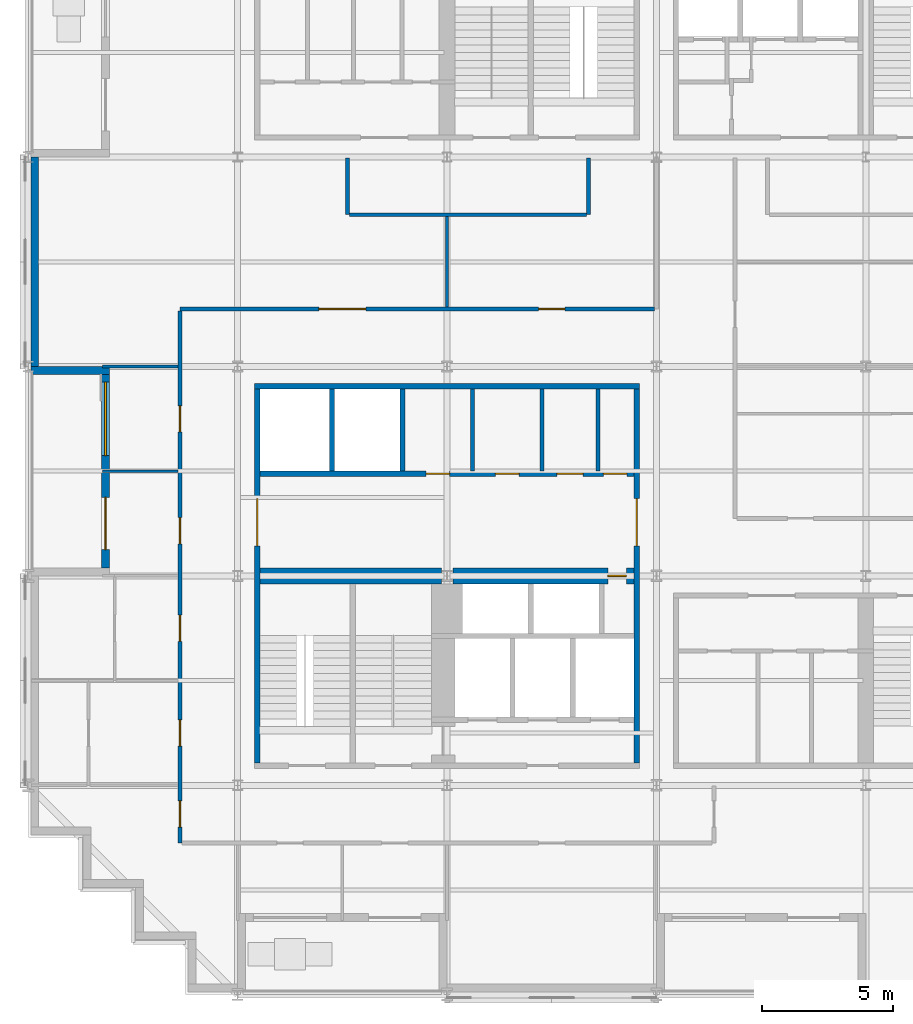
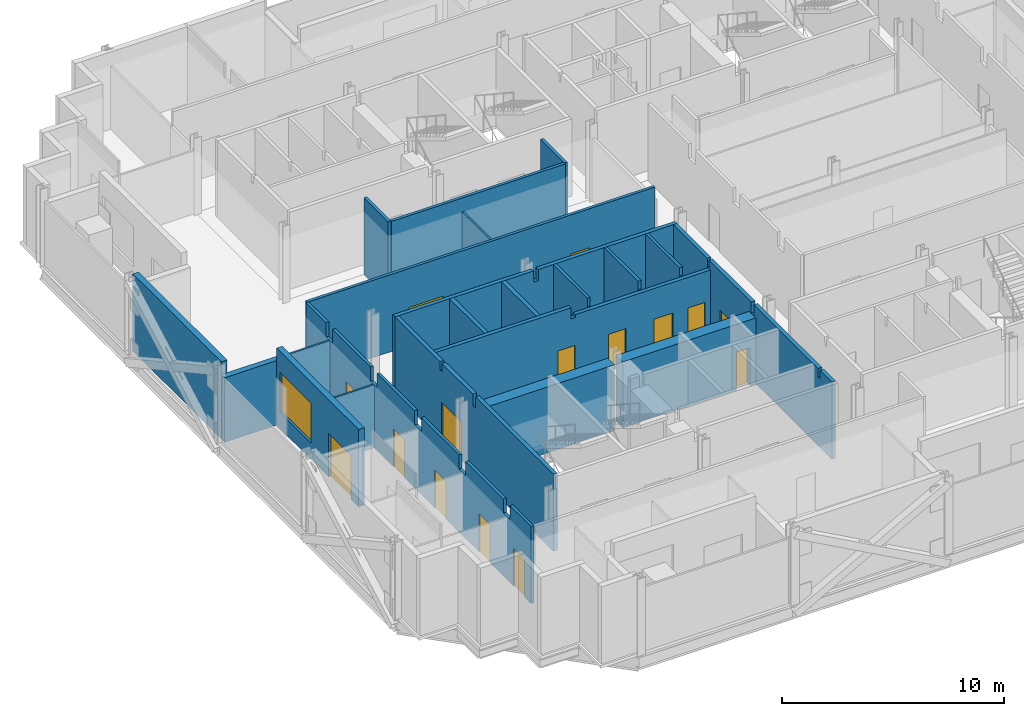
# One storey, part 7 of 15: 22 walls, 15 doors, 1 window, 16 openings.
"""IFC4 building model written with IfcOpenShell, lengths in metres."""

import ifcopenshell
import ifcopenshell.guid

model = None  # the IFC model being written
_history = None  # IfcOwnerHistory: only IFC2X3 demands one
_inside = {}  # id of a spatial element -> (the spatial element, [elements in it])
_under = {}  # id of a project, library or spatial element -> (it, [spatial elements below it])
_declared = {}  # id of a project -> (the project, [libraries it declares])
_typed = {}  # id of a type object -> (the type object, [elements of that type])
_made_of = {}  # id of a material, layer set ... -> (it, [elements and type objects made of it])


def new_model(schema):
    """Start an empty IFC model of exactly this schema.

    Asked for "IFC4X3", IfcOpenShell would pick the latest addendum, in which some entities
    have other attributes; the version numbers below select the first issue.
    IFC2X3 requires an IfcOwnerHistory on every rooted entity: one is made here for all.
    """
    global model, _history
    if schema == "IFC4X3":
        model = ifcopenshell.file(schema_version=(4, 3, 0, 0))
    else:
        model = ifcopenshell.file(schema=schema)
    _inside.clear()
    _under.clear()
    _declared.clear()
    _typed.clear()
    _made_of.clear()
    _history = None
    if model.schema == "IFC2X3":
        org = make("IfcOrganization", Name="unknown")
        user = make(
            "IfcPersonAndOrganization",
            ThePerson=make("IfcPerson", FamilyName="unknown"),
            TheOrganization=org,
        )
        app = make(
            "IfcApplication",
            ApplicationDeveloper=org,
            Version="unknown",
            ApplicationFullName="unknown",
            ApplicationIdentifier="unknown",
        )
        _history = make(
            "IfcOwnerHistory",
            OwningUser=user,
            OwningApplication=app,
            ChangeAction="ADDED",
            CreationDate=0,
        )
    return model


def make(cls, **values):
    """One entity of the class cls with the attributes given. An attribute that is None is left unset."""
    return model.create_entity(
        cls, **{name: value for name, value in values.items() if value is not None}
    )


def rooted(cls, **values):
    """An entity with a GlobalId (a new one), such as an element, a storey or a relation."""
    return make(cls, GlobalId=ifcopenshell.guid.new(), OwnerHistory=_history, **values)


def si_unit(unit_type, name, prefix=None):
    """IfcSIUnit, for example si_unit("LENGTHUNIT", "METRE", prefix="MILLI")."""
    return make("IfcSIUnit", UnitType=unit_type, Prefix=prefix, Name=name)


def assignment(units):
    """IfcUnitAssignment: the units of a project."""
    return None if units is None else make("IfcUnitAssignment", Units=units)


def point(xyz):
    """IfcCartesianPoint."""
    return None if xyz is None else make("IfcCartesianPoint", Coordinates=xyz)


def direction(xyz):
    """IfcDirection."""
    return None if xyz is None else make("IfcDirection", DirectionRatios=xyz)


def frame(location, z_axis=None, x_axis=None):
    """IfcAxis2Placement3D, a coordinate frame: its origin and axes. An axis left out is left unset."""
    return make(
        "IfcAxis2Placement3D",
        Location=point(location),
        Axis=direction(z_axis),
        RefDirection=direction(x_axis),
    )


def frame_2d(location, x_axis=None):
    """IfcAxis2Placement2D, a coordinate frame in the plane: its origin and x axis."""
    return make(
        "IfcAxis2Placement2D", Location=point(location), RefDirection=direction(x_axis)
    )


def origin():
    """The frame at (0, 0, 0) with its axes left unset."""
    return frame((0.0, 0.0, 0.0))


def place(relative_to, where):
    """IfcLocalPlacement: puts the frame where relative to a parent placement (None: the world)."""
    return make(
        "IfcLocalPlacement", PlacementRelTo=relative_to, RelativePlacement=where
    )


def context(
    kind, dimensions, precision=None, world=None, true_north=None, identifier=None
):
    """IfcGeometricRepresentationContext, for example the 3D "Model" context."""
    return make(
        "IfcGeometricRepresentationContext",
        ContextIdentifier=identifier,
        ContextType=kind,
        CoordinateSpaceDimension=dimensions,
        Precision=precision,
        WorldCoordinateSystem=world,
        TrueNorth=true_north,
    )


def subcontext(parent, identifier, kind, view, scale=None):
    """IfcGeometricRepresentationSubContext, for example "Body" below "Model"."""
    return make(
        "IfcGeometricRepresentationSubContext",
        ContextIdentifier=identifier,
        ContextType=kind,
        ParentContext=parent,
        TargetScale=scale,
        TargetView=view,
    )


def project(units=None, contexts=None):
    """IfcProject with its units and contexts."""
    return rooted(
        "IfcProject",
        Name="project",
        RepresentationContexts=contexts,
        UnitsInContext=assignment(units),
    )


def spatial(cls, under=None, at=None, **own):
    """A site, building, storey or space (cls), placed at a placement, below another one or the project."""
    s = rooted(cls, ObjectPlacement=at, **own)
    if under is not None:
        _under.setdefault(under.id(), (under, []))[1].append(s)
    return s


def polyline(points):
    """IfcPolyline through the points."""
    return make("IfcPolyline", Points=[point(p) for p in points])


def profile(cls, at=None, kind="AREA", **sizes):
    """A parametric profile (cls). Its sizes go by their IFC names, for example OverallWidth=200.0."""
    return make(cls, ProfileType=kind, Position=at, **sizes)


def rectangle(**sizes):
    """IfcRectangleProfileDef."""
    return profile("IfcRectangleProfileDef", **sizes)


def outline(outer, holes=None, kind="AREA"):
    """IfcArbitraryClosedProfileDef: a profile drawn as a closed curve; with holes, ...WithVoids."""
    if holes is None:
        return make("IfcArbitraryClosedProfileDef", ProfileType=kind, OuterCurve=outer)
    return make(
        "IfcArbitraryProfileDefWithVoids",
        ProfileType=kind,
        OuterCurve=outer,
        InnerCurves=holes,
    )


def extrude(swept, where, along, depth):
    """IfcExtrudedAreaSolid: the profile swept, set in the frame where, extruded along a direction by depth."""
    return make(
        "IfcExtrudedAreaSolid",
        SweptArea=swept,
        Position=where,
        ExtrudedDirection=direction(along),
        Depth=depth,
    )


def shape(context_of_items, identifier, shape_type, items):
    """IfcShapeRepresentation: the items that make up one representation, for example the "Body"."""
    return make(
        "IfcShapeRepresentation",
        ContextOfItems=context_of_items,
        RepresentationIdentifier=identifier,
        RepresentationType=shape_type,
        Items=items,
    )


def material(Name=None, Category=None):
    """IfcMaterial."""
    return make("IfcMaterial", Name=Name, Category=Category)


def layer(
    of_material, thickness, ventilated=None, Name=None, Category=None, Priority=None
):
    """IfcMaterialLayer: one layer of a wall or slab, of a material (None: an air gap)."""
    return make(
        "IfcMaterialLayer",
        Material=of_material,
        LayerThickness=thickness,
        IsVentilated=ventilated,
        Name=Name,
        Category=Category,
        Priority=Priority,
    )


def layer_set(layers, Name=None):
    """IfcMaterialLayerSet."""
    return make("IfcMaterialLayerSet", MaterialLayers=layers, LayerSetName=Name)


def made_of(thing, what):
    """Note that an element or type object is made of a material, layer set ...; save() writes the relation."""
    if what is not None:
        _made_of.setdefault(what.id(), (what, []))[1].append(thing)
    return thing


def type_object(cls, material=None, **own):
    """A type object (cls), such as IfcWallType, which elements share."""
    return made_of(rooted(cls, **own), material)


def element(
    cls,
    number,
    at=None,
    inside=None,
    cuts=None,
    type_object=None,
    material=None,
    context=None,
    identifier="Body",
    shape_type=None,
    held_by="IfcProductDefinitionShape",
    body=None,
    shapes=None,
    **own,
):
    """One element of the class cls, such as IfcWall. Its Tag is "e" and its number.

    at: its placement. inside: the storey or other place that contains it. cuts: it is an
    opening in that element (IfcRelVoidsElement). A single representation is given by context,
    identifier, shape_type and body (its items); several are given by shapes. held_by: the class
    of the entity that holds the representations. save() writes the other relations.
    """
    e = rooted(cls, Tag="e%d" % number, ObjectPlacement=at, **own)
    if body is not None:
        shapes = [shape(context, identifier, shape_type, body)]
    if shapes is not None:
        e.Representation = make(held_by, Representations=shapes)
    if inside is not None:
        _inside.setdefault(inside.id(), (inside, []))[1].append(e)
    if cuts is not None:
        rooted(
            "IfcRelVoidsElement", RelatingBuildingElement=cuts, RelatedOpeningElement=e
        )
    if type_object is not None:
        _typed.setdefault(type_object.id(), (type_object, []))[1].append(e)
    return made_of(e, material)


def fill(opening, filler):
    """IfcRelFillsElement: the door or window that sits in an opening."""
    return rooted(
        "IfcRelFillsElement",
        RelatingOpeningElement=opening,
        RelatedBuildingElement=filler,
    )


def aggregate(whole, parts):
    """IfcRelAggregates: a whole, such as a stair, and the parts it consists of."""
    return rooted("IfcRelAggregates", RelatingObject=whole, RelatedObjects=parts)


def save(model, path):
    """Write the relations noted so far, then the file.

    IfcRelAggregates (storeys below a building ...), IfcRelContainedInSpatialStructure (elements
    in a storey), IfcRelDefinesByType, IfcRelAssociatesMaterial and IfcRelDeclares: one each for
    every whole, place, type object, material and project.
    """
    for whole, parts in _under.values():
        aggregate(whole, parts)
    for where, things in _inside.values():
        rooted(
            "IfcRelContainedInSpatialStructure",
            RelatedElements=things,
            RelatingStructure=where,
        )
    for kind, things in _typed.values():
        rooted("IfcRelDefinesByType", RelatedObjects=things, RelatingType=kind)
    for what, things in _made_of.values():
        rooted("IfcRelAssociatesMaterial", RelatedObjects=things, RelatingMaterial=what)
    for by, libraries in _declared.values():
        rooted("IfcRelDeclares", RelatingContext=by, RelatedDefinitions=libraries)
    model.write(path)


model = new_model("IFC4")

# Units and contexts
model_context = context("Model", 3, precision=1e-05, world=origin(), true_north=direction((0.0, 1.0)))
body_context = subcontext(model_context, "Body", "Model", "MODEL_VIEW")
ifc_project = project(units=[si_unit("LENGTHUNIT", "METRE"), si_unit("AREAUNIT", "SQUARE_METRE"), si_unit("VOLUMEUNIT", "CUBIC_METRE"), si_unit("PLANEANGLEUNIT", "RADIAN"), si_unit("MASSUNIT", "GRAM", prefix="KILO")], contexts=[model_context])

# Site, building, storey
site_placement = place(None, origin())
site = spatial("IfcSite", under=ifc_project, at=site_placement, CompositionType="ELEMENT")
building_placement = place(site_placement, origin())
building = spatial("IfcBuilding", under=site, at=building_placement, Name="Immortelle Media Tower", CompositionType="ELEMENT")
storey_placement = place(building_placement, frame((0.0, 0.0, 100.800048828125)))
storey = spatial("IfcBuildingStorey", under=building, at=storey_placement, Name="L19", CompositionType="ELEMENT", Elevation=100.800048828125)

# Wall, opening, door
ifc_material_1 = material(Name="Fire-rated masonry blockwork", Category="masonry")
ifc_layer_1 = layer(ifc_material_1, 0.60009765625)
ifc_layer_set_1 = layer_set([ifc_layer_1], Name="Fire-rated masonry blockwork")
wall_type_1 = type_object("IfcWallType", Name="Core grid-line wall 600", PredefinedType="PARTITIONING", material=ifc_layer_set_1)
wall_1_placement = place(storey_placement, frame((16.218505859375, 16.0, 0.0), z_axis=(0.0, 0.0, 1.0), x_axis=(1.0, 0.0, 0.0)))
wall_1 = element("IfcWall", 1, at=wall_1_placement, inside=storey, type_object=wall_type_1, Name="Core grid-line wall SW", PredefinedType="PARTITIONING", context=body_context, shape_type="SweptSolid", body=[
    extrude(rectangle(XDim=6.931396484375, YDim=0.60009765625, at=frame_2d((3.4658203125, 0.0))), origin(), (0.0, 0.0, 1.0), 3.6318359375),
])
opening_1_placement = place(wall_1_placement, frame((6.63134765625, 0.0, 0.0), z_axis=(0.0, 0.0, 1.0), x_axis=(-1.0, 0.0, 0.0)))
opening_1 = element("IfcOpeningElement", 2, at=opening_1_placement, cuts=wall_1, Name="Opening N6-K013", PredefinedType="OPENING", context=body_context, shape_type="SweptSolid", body=[
    extrude(rectangle(XDim=0.699951171875, YDim=2.10009765625, at=frame_2d((0.35009765625, 1.050048828125))), frame((0.0, 0.31005859375, 0.0), z_axis=(0.0, -1.0, 0.0), x_axis=(1.0, 0.0, 0.0)), (0.0, 0.0, 1.0), 0.6201171875),
])
ifc_material_2 = material(Name="Galvanised steel door leaf and frame ASTM A653", Category="steel")
door_type_1 = type_object("IfcDoorType", Name="Service door 700 x 2100", OperationType="NOTDEFINED", PredefinedType="NOTDEFINED", material=ifc_material_2)
door_1_placement = place(opening_1_placement, origin())
door_1 = element("IfcDoor", 3, at=door_1_placement, inside=storey, type_object=door_type_1, Name="Service N6-K013", OperationType="SINGLE_SWING_LEFT", OverallHeight=2.10009765625, OverallWidth=0.699951171875, PredefinedType="NOTDEFINED", context=body_context, shape_type="SweptSolid", body=[
    extrude(rectangle(XDim=0.699951171875, YDim=2.10009765625, at=frame_2d((0.35009765625, 1.050048828125))), frame((0.0, 0.02490234375, 0.0), z_axis=(0.0, -1.0, 0.0), x_axis=(1.0, 0.0, 0.0)), (0.0, 0.0, 1.0), 0.050048828125),
])
fill(opening_1, door_1)

# Walls
ifc_material_3 = material(Name="Fire-rated gypsum board", Category="gypsum")
ifc_layer_2 = layer(ifc_material_3, 0.02490234375)
ifc_material_4 = material(Name="Steel ASTM A653 SS Gr 50 stud frame with mineral wool", Category="steel")
ifc_layer_3 = layer(ifc_material_4, 0.10009765625)
ifc_layer_4 = layer(ifc_material_3, 0.02490234375)
ifc_layer_set_2 = layer_set([ifc_layer_2, ifc_layer_3, ifc_layer_4], Name="Steel ASTM A653 SS Gr 50 stud frame with mineral wool")
wall_type_2 = type_object("IfcWallType", Name="Core partition 150", PredefinedType="PARTITIONING", material=ifc_layer_set_2)
for number, where, z_axis, x_axis, name in (
    (4, (16.97509765625, 20.0, 0.0), (0.0, 0.0, 1.0), (0.0, 1.0, 0.0), "Core partition SW"),
    (5, (19.625, 20.0, 0.0), (0.0, 0.0, 1.0), (0.0, 1.0, 0.0), "Core partition SW"),
    (6, (21.77490234375, 20.0, 0.0), (0.0, 0.0, 1.0), (0.0, 1.0, 0.0), "Core partition SW"),
):
    element("IfcWall", number, at=place(storey_placement, frame(where, z_axis=z_axis, x_axis=x_axis)), inside=storey, type_object=wall_type_2, Name=name, PredefinedType="PARTITIONING", context=body_context, shape_type="SweptSolid", body=[
        extrude(outline(polyline([(0.0, 0.0), (3.14990234375, 0.0), (3.14990234375, 4.25), (0.08154296875, 4.25), (0.08056640625, 3.7890625), (0.0, 3.7890625), (0.0, 0.0)])), frame((0.0, 0.074951171875, 0.0), z_axis=(0.0, -1.0, 0.0), x_axis=(1.0, 0.0, 0.0)), (0.0, 0.0, 1.0), 0.14990234375),
    ])
ifc_layer_5 = layer(ifc_material_3, 0.03759765625)
ifc_layer_6 = layer(ifc_material_4, 0.125)
ifc_layer_7 = layer(ifc_material_3, 0.03759765625)
ifc_layer_set_3 = layer_set([ifc_layer_5, ifc_layer_6, ifc_layer_7], Name="Steel ASTM A653 SS Gr 50 stud frame with mineral wool")
wall_type_3 = type_object("IfcWallType", Name="Core shaft wall 200", PredefinedType="PARTITIONING", material=ifc_layer_set_3)
wall_2_placement = place(storey_placement, frame((8.64990234375, 23.25, 0.0), z_axis=(0.0, 0.0, 1.0), x_axis=(1.0, 0.0, 0.0)))
element("IfcWall", 7, at=wall_2_placement, inside=storey, type_object=wall_type_3, Name="Core shaft wall SW", PredefinedType="PARTITIONING", context=body_context, shape_type="SweptSolid", body=[
    extrude(outline(polyline([(0.0, 0.0), (14.7001953125, 0.0), (14.699951171875, 4.25), (7.469482421875, 4.25), (7.468505859375, 3.6318359375), (7.2314453125, 3.6318359375), (7.23046875, 4.25), (0.0, 4.25), (0.0, 0.0)])), frame((0.0, 0.10009765625, 0.0), z_axis=(0.0, -1.0, 0.0), x_axis=(1.0, 0.0, 0.0)), (0.0, 0.0, 1.0), 0.199951171875),
])

# Wall, openings, doors
wall_3_placement = place(storey_placement, frame((8.85009765625, 19.89990234375, 0.0), z_axis=(0.0, 0.0, 1.0), x_axis=(1.0, 0.0, 0.0)))
wall_3 = element("IfcWall", 8, at=wall_3_placement, inside=storey, type_object=wall_type_3, Name="Core shaft wall SW", PredefinedType="PARTITIONING", context=body_context, shape_type="SweptSolid", body=[
    extrude(outline(polyline([(0.0, 0.0), (14.2998046875, 0.0), (14.300048828125, 3.7890625), (7.26953125, 3.7890625), (7.2685546875, 3.6318359375), (7.031494140625, 3.6318359375), (7.030517578125, 4.25), (0.0, 4.25), (0.0, 0.0)])), frame((0.0, 0.10009765625, 0.0), z_axis=(0.0, -1.0, 0.0), x_axis=(1.0, 0.0, 0.0)), (0.0, 0.0, 1.0), 0.199951171875),
])
opening_2_placement = place(wall_3_placement, frame((6.35009765625, 0.0, 0.0)))
opening_2 = element("IfcOpeningElement", 9, at=opening_2_placement, cuts=wall_3, Name="Opening N6-K004", PredefinedType="OPENING", context=body_context, shape_type="SweptSolid", body=[
    extrude(rectangle(XDim=0.89990234375, YDim=2.10009765625, at=frame_2d((0.449951171875, 1.050048828125))), frame((0.0, 0.10986328125, 0.0), z_axis=(0.0, -1.0, 0.0), x_axis=(1.0, 0.0, 0.0)), (0.0, 0.0, 1.0), 0.219970703125),
])
opening_3_placement = place(wall_3_placement, frame((9.0, 0.0, 0.0)))
opening_3 = element("IfcOpeningElement", 10, at=opening_3_placement, cuts=wall_3, Name="Opening N6-K007", PredefinedType="OPENING", context=body_context, shape_type="SweptSolid", body=[
    extrude(rectangle(XDim=0.89990234375, YDim=2.10009765625, at=frame_2d((0.449951171875, 1.050048828125))), frame((0.0, 0.10986328125, 0.0), z_axis=(0.0, -1.0, 0.0), x_axis=(1.0, 0.0, 0.0)), (0.0, 0.0, 1.0), 0.219970703125),
])
opening_4_placement = place(wall_3_placement, frame((11.35009765625, 0.0, 0.0)))
opening_4 = element("IfcOpeningElement", 11, at=opening_4_placement, cuts=wall_3, Name="Opening N6-K010", PredefinedType="OPENING", context=body_context, shape_type="SweptSolid", body=[
    extrude(rectangle(XDim=1.0, YDim=2.10009765625, at=frame_2d((0.5, 1.050048828125))), frame((0.0, 0.10986328125, 0.0), z_axis=(0.0, -1.0, 0.0), x_axis=(1.0, 0.0, 0.0)), (0.0, 0.0, 1.0), 0.219970703125),
])
opening_5_placement = place(wall_3_placement, frame((13.125, 0.0, 0.0)))
opening_5 = element("IfcOpeningElement", 12, at=opening_5_placement, cuts=wall_3, Name="Opening N6-K012", PredefinedType="OPENING", context=body_context, shape_type="SweptSolid", body=[
    extrude(rectangle(XDim=0.89990234375, YDim=2.10009765625, at=frame_2d((0.449951171875, 1.050048828125))), frame((0.0, 0.10986328125, 0.0), z_axis=(0.0, -1.0, 0.0), x_axis=(1.0, 0.0, 0.0)), (0.0, 0.0, 1.0), 0.219970703125),
])
ifc_material_5 = material(Name="Timber", Category="wood")
door_type_2 = type_object("IfcDoorType", Name="Accessible toilet door 1000 x 2100", OperationType="NOTDEFINED", PredefinedType="NOTDEFINED", material=ifc_material_5)
door_2_placement = place(opening_4_placement, origin())
door_2 = element("IfcDoor", 13, at=door_2_placement, inside=storey, type_object=door_type_2, Name="Accessible toilet N6-K010", OperationType="SINGLE_SWING_RIGHT", OverallHeight=2.10009765625, OverallWidth=1.0, PredefinedType="NOTDEFINED", context=body_context, shape_type="SweptSolid", body=[
    extrude(rectangle(XDim=1.0, YDim=2.10009765625, at=frame_2d((0.5, 1.050048828125))), frame((0.0, 0.02490234375, 0.0), z_axis=(0.0, -1.0, 0.0), x_axis=(1.0, 0.0, 0.0)), (0.0, 0.0, 1.0), 0.050048828125),
])
fill(opening_4, door_2)
door_type_3 = type_object("IfcDoorType", Name="Service door 900 x 2100", OperationType="NOTDEFINED", PredefinedType="NOTDEFINED", material=ifc_material_2)
door_3_placement = place(opening_5_placement, origin())
door_3 = element("IfcDoor", 14, at=door_3_placement, inside=storey, type_object=door_type_3, Name="Service N6-K012", OperationType="SINGLE_SWING_LEFT", OverallHeight=2.10009765625, OverallWidth=0.89990234375, PredefinedType="NOTDEFINED", context=body_context, shape_type="SweptSolid", body=[
    extrude(rectangle(XDim=0.89990234375, YDim=2.10009765625, at=frame_2d((0.449951171875, 1.050048828125))), frame((0.0, 0.02490234375, 0.0), z_axis=(0.0, -1.0, 0.0), x_axis=(1.0, 0.0, 0.0)), (0.0, 0.0, 1.0), 0.050048828125),
])
fill(opening_5, door_3)
door_type_4 = type_object("IfcDoorType", Name="Toilet door 900 x 2100", OperationType="NOTDEFINED", PredefinedType="NOTDEFINED", material=ifc_material_5)
door_4_placement = place(opening_2_placement, origin())
door_4 = element("IfcDoor", 15, at=door_4_placement, inside=storey, type_object=door_type_4, Name="Toilet N6-K004", OperationType="SINGLE_SWING_RIGHT", OverallHeight=2.10009765625, OverallWidth=0.89990234375, PredefinedType="NOTDEFINED", context=body_context, shape_type="SweptSolid", body=[
    extrude(rectangle(XDim=0.89990234375, YDim=2.10009765625, at=frame_2d((0.449951171875, 1.050048828125))), frame((0.0, 0.02490234375, 0.0), z_axis=(0.0, -1.0, 0.0), x_axis=(1.0, 0.0, 0.0)), (0.0, 0.0, 1.0), 0.050048828125),
])
fill(opening_2, door_4)
door_5_placement = place(opening_3_placement, origin())
door_5 = element("IfcDoor", 16, at=door_5_placement, inside=storey, type_object=door_type_4, Name="Toilet N6-K007", OperationType="SINGLE_SWING_LEFT", OverallHeight=2.10009765625, OverallWidth=0.89990234375, PredefinedType="NOTDEFINED", context=body_context, shape_type="SweptSolid", body=[
    extrude(rectangle(XDim=0.89990234375, YDim=2.10009765625, at=frame_2d((0.449951171875, 1.050048828125))), frame((0.0, 0.02490234375, 0.0), z_axis=(0.0, -1.0, 0.0), x_axis=(1.0, 0.0, 0.0)), (0.0, 0.0, 1.0), 0.050048828125),
])
fill(opening_3, door_5)

# Walls
for number, where, z_axis, x_axis, name in (
    (17, (11.60009765625, 20.0, 0.0), (0.0, 0.0, 1.0), (0.0, 1.0, 0.0), "Core shaft wall SW"),
    (18, (14.300048828125, 20.0, 0.0), (0.0, 0.0, 1.0), (0.0, 1.0, 0.0), "Core shaft wall SW"),
):
    element("IfcWall", number, at=place(storey_placement, frame(where, z_axis=z_axis, x_axis=x_axis)), inside=storey, type_object=wall_type_3, Name=name, PredefinedType="PARTITIONING", context=body_context, shape_type="SweptSolid", body=[
        extrude(rectangle(XDim=3.14990234375, YDim=0.199951171875, at=frame_2d((1.574951171875, 0.0))), origin(), (0.0, 0.0, 1.0), 4.25),
    ])

# Wall, opening, door
wall_4_placement = place(storey_placement, frame((23.25, 8.85009765625, 0.0), z_axis=(0.0, 0.0, 1.0), x_axis=(0.0, 1.0, 0.0)))
wall_4 = element("IfcWall", 19, at=wall_4_placement, inside=storey, type_object=wall_type_3, Name="Core shaft wall SW", PredefinedType="PARTITIONING", context=body_context, shape_type="SweptSolid", body=[
    extrude(outline(polyline([(0.0, 0.0), (14.2998046875, 0.0), (14.300048828125, 4.25), (11.2314453125, 4.25), (11.23046875, 3.7890625), (11.069580078125, 3.7890625), (11.068603515625, 4.25), (7.26953125, 4.25), (7.2685546875, 3.6318359375), (7.031494140625, 3.6318359375), (7.030517578125, 4.25), (1.2314453125, 4.25), (1.23046875, 3.7890625), (1.069580078125, 3.7890625), (1.068603515625, 4.25), (0.0, 4.25), (0.0, 0.0)])), frame((0.0, 0.10009765625, 0.0), z_axis=(0.0, -1.0, 0.0), x_axis=(1.0, 0.0, 0.0)), (0.0, 0.0, 1.0), 0.199951171875),
])
opening_6_placement = place(wall_4_placement, frame((8.300048828125, 0.0, 0.0)))
opening_6 = element("IfcOpeningElement", 20, at=opening_6_placement, cuts=wall_4, Name="Opening N6-K014", PredefinedType="OPENING", context=body_context, shape_type="SweptSolid", body=[
    extrude(rectangle(XDim=1.800048828125, YDim=2.10009765625, at=frame_2d((0.89990234375, 1.050048828125))), frame((0.0, 0.10986328125, 0.0), z_axis=(0.0, -1.0, 0.0), x_axis=(1.0, 0.0, 0.0)), (0.0, 0.0, 1.0), 0.219970703125),
])
door_type_5 = type_object("IfcDoorType", Name="Lift lobby door 1800 x 2100", OperationType="DOUBLE_DOOR_SINGLE_SWING", PredefinedType="NOTDEFINED", material=ifc_material_2)
door_6_placement = place(opening_6_placement, origin())
door_6 = element("IfcDoor", 21, at=door_6_placement, inside=storey, type_object=door_type_5, Name="Lift lobby N6-K014", OperationType="DOUBLE_DOOR_SINGLE_SWING", OverallHeight=2.10009765625, OverallWidth=1.800048828125, PredefinedType="NOTDEFINED", context=body_context, shape_type="SweptSolid", body=[
    extrude(rectangle(XDim=1.800048828125, YDim=2.10009765625, at=frame_2d((0.89990234375, 1.050048828125))), frame((0.0, 0.02490234375, 0.0), z_axis=(0.0, -1.0, 0.0), x_axis=(1.0, 0.0, 0.0)), (0.0, 0.0, 1.0), 0.050048828125),
])
fill(opening_6, door_6)

# Wall, openings, doors
ifc_layer_8 = layer(ifc_material_3, 0.012451171875)
ifc_layer_9 = layer(ifc_material_4, 0.125)
ifc_layer_10 = layer(ifc_material_3, 0.012451171875)
ifc_layer_set_4 = layer_set([ifc_layer_8, ifc_layer_9, ifc_layer_10], Name="Steel ASTM A653 SS Gr 50 stud frame with mineral wool")
wall_type_4 = type_object("IfcWallType", Name="Corridor wall 150", PredefinedType="PARTITIONING", material=ifc_layer_set_4)
wall_5_placement = place(storey_placement, frame((5.800048828125, 5.800048828125, 0.0), z_axis=(0.0, 0.0, 1.0), x_axis=(0.0, 1.0, 0.0)))
wall_5 = element("IfcWall", 22, at=wall_5_placement, inside=storey, type_object=wall_type_4, Name="Partition L19-006", PredefinedType="PARTITIONING", context=body_context, shape_type="SweptSolid", body=[
    extrude(outline(polyline([(0.0, 0.0), (20.324951171875, 0.0), (20.324951171875, 4.25), (18.5, 4.25), (18.498046875, 3.469970703125), (17.902099609375, 3.469970703125), (17.89990234375, 4.25), (14.5, 4.25), (14.498046875, 3.469970703125), (13.902099609375, 3.469970703125), (13.89990234375, 4.25), (10.5, 4.25), (10.498046875, 3.469970703125), (9.902099609375, 3.469970703125), (9.89990234375, 4.25), (6.5, 4.25), (6.498046875, 3.469970703125), (5.902099609375, 3.469970703125), (5.89990234375, 4.25), (2.5, 4.25), (2.498046875, 3.469970703125), (1.902099609375, 3.469970703125), (1.89990234375, 4.25), (0.0, 4.25), (0.0, 0.0)])), frame((0.0, 0.074951171875, 0.0), z_axis=(0.0, -1.0, 0.0), x_axis=(1.0, 0.0, 0.0)), (0.0, 0.0, 1.0), 0.14990234375),
])
opening_7_placement = place(wall_5_placement, frame((0.60009765625, 0.0, 0.0)))
opening_7 = element("IfcOpeningElement", 23, at=opening_7_placement, cuts=wall_5, Name="Opening N6-F005", PredefinedType="OPENING", context=body_context, shape_type="SweptSolid", body=[
    extrude(rectangle(XDim=1.0, YDim=2.10009765625, at=frame_2d((0.5, 1.050048828125))), frame((0.0, 0.0849609375, 0.0), z_axis=(0.0, -1.0, 0.0), x_axis=(1.0, 0.0, 0.0)), (0.0, 0.0, 1.0), 0.169921875),
])
opening_8_placement = place(wall_5_placement, frame((3.699951171875, 0.0, 0.0)))
opening_8 = element("IfcOpeningElement", 24, at=opening_8_placement, cuts=wall_5, Name="Opening N6-F006", PredefinedType="OPENING", context=body_context, shape_type="SweptSolid", body=[
    extrude(rectangle(XDim=1.0, YDim=2.10009765625, at=frame_2d((0.5, 1.050048828125))), frame((0.0, 0.0849609375, 0.0), z_axis=(0.0, -1.0, 0.0), x_axis=(1.0, 0.0, 0.0)), (0.0, 0.0, 1.0), 0.169921875),
])
opening_9_placement = place(wall_5_placement, frame((7.699951171875, 0.0, 0.0)))
opening_9 = element("IfcOpeningElement", 25, at=opening_9_placement, cuts=wall_5, Name="Opening N6-F008", PredefinedType="OPENING", context=body_context, shape_type="SweptSolid", body=[
    extrude(rectangle(XDim=1.0, YDim=2.10009765625, at=frame_2d((0.5, 1.050048828125))), frame((0.0, 0.0849609375, 0.0), z_axis=(0.0, -1.0, 0.0), x_axis=(1.0, 0.0, 0.0)), (0.0, 0.0, 1.0), 0.169921875),
])
opening_10_placement = place(wall_5_placement, frame((11.425048828125, 0.0, 0.0)))
opening_10 = element("IfcOpeningElement", 26, at=opening_10_placement, cuts=wall_5, Name="Opening N6-F012", PredefinedType="OPENING", context=body_context, shape_type="SweptSolid", body=[
    extrude(rectangle(XDim=1.0, YDim=2.10009765625, at=frame_2d((0.5, 1.050048828125))), frame((0.0, 0.0849609375, 0.0), z_axis=(0.0, -1.0, 0.0), x_axis=(1.0, 0.0, 0.0)), (0.0, 0.0, 1.0), 0.169921875),
])
opening_11_placement = place(wall_5_placement, frame((15.699951171875, 0.0, 0.0)))
opening_11 = element("IfcOpeningElement", 27, at=opening_11_placement, cuts=wall_5, Name="Opening N6-F013", PredefinedType="OPENING", context=body_context, shape_type="SweptSolid", body=[
    extrude(rectangle(XDim=1.0, YDim=2.10009765625, at=frame_2d((0.5, 1.050048828125))), frame((0.0, 0.0849609375, 0.0), z_axis=(0.0, -1.0, 0.0), x_axis=(1.0, 0.0, 0.0)), (0.0, 0.0, 1.0), 0.169921875),
])
ifc_material_6 = material(Name="Timber veneered door leaf, galvanised steel frame ASTM A653", Category="steel")
door_type_6 = type_object("IfcDoorType", Name="Room door 1000 x 2100", OperationType="NOTDEFINED", PredefinedType="DOOR", material=ifc_material_6)
door_7_placement = place(opening_7_placement, origin())
door_7 = element("IfcDoor", 28, at=door_7_placement, inside=storey, type_object=door_type_6, Name="Door N6-F005", OperationType="SINGLE_SWING_RIGHT", OverallHeight=2.10009765625, OverallWidth=1.0, PredefinedType="DOOR", context=body_context, shape_type="SweptSolid", body=[
    extrude(rectangle(XDim=1.0, YDim=2.10009765625, at=frame_2d((0.5, 1.050048828125))), frame((0.0, 0.02490234375, 0.0), z_axis=(0.0, -1.0, 0.0), x_axis=(1.0, 0.0, 0.0)), (0.0, 0.0, 1.0), 0.050048828125),
])
fill(opening_7, door_7)
door_8_placement = place(opening_8_placement, origin())
door_8 = element("IfcDoor", 29, at=door_8_placement, inside=storey, type_object=door_type_6, Name="Door N6-F006", OperationType="SINGLE_SWING_RIGHT", OverallHeight=2.10009765625, OverallWidth=1.0, PredefinedType="DOOR", context=body_context, shape_type="SweptSolid", body=[
    extrude(rectangle(XDim=1.0, YDim=2.10009765625, at=frame_2d((0.5, 1.050048828125))), frame((0.0, 0.02490234375, 0.0), z_axis=(0.0, -1.0, 0.0), x_axis=(1.0, 0.0, 0.0)), (0.0, 0.0, 1.0), 0.050048828125),
])
fill(opening_8, door_8)
door_9_placement = place(opening_9_placement, origin())
door_9 = element("IfcDoor", 30, at=door_9_placement, inside=storey, type_object=door_type_6, Name="Door N6-F008", OperationType="SINGLE_SWING_LEFT", OverallHeight=2.10009765625, OverallWidth=1.0, PredefinedType="DOOR", context=body_context, shape_type="SweptSolid", body=[
    extrude(rectangle(XDim=1.0, YDim=2.10009765625, at=frame_2d((0.5, 1.050048828125))), frame((0.0, 0.02490234375, 0.0), z_axis=(0.0, -1.0, 0.0), x_axis=(1.0, 0.0, 0.0)), (0.0, 0.0, 1.0), 0.050048828125),
])
fill(opening_9, door_9)
door_10_placement = place(opening_10_placement, origin())
door_10 = element("IfcDoor", 31, at=door_10_placement, inside=storey, type_object=door_type_6, Name="Door N6-F012", OperationType="SINGLE_SWING_LEFT", OverallHeight=2.10009765625, OverallWidth=1.0, PredefinedType="DOOR", context=body_context, shape_type="SweptSolid", body=[
    extrude(rectangle(XDim=1.0, YDim=2.10009765625, at=frame_2d((0.5, 1.050048828125))), frame((0.0, 0.02490234375, 0.0), z_axis=(0.0, -1.0, 0.0), x_axis=(1.0, 0.0, 0.0)), (0.0, 0.0, 1.0), 0.050048828125),
])
fill(opening_10, door_10)
door_11_placement = place(opening_11_placement, origin())
door_11 = element("IfcDoor", 32, at=door_11_placement, inside=storey, type_object=door_type_6, Name="Door N6-F013", OperationType="SINGLE_SWING_RIGHT", OverallHeight=2.10009765625, OverallWidth=1.0, PredefinedType="DOOR", context=body_context, shape_type="SweptSolid", body=[
    extrude(rectangle(XDim=1.0, YDim=2.10009765625, at=frame_2d((0.5, 1.050048828125))), frame((0.0, 0.02490234375, 0.0), z_axis=(0.0, -1.0, 0.0), x_axis=(1.0, 0.0, 0.0)), (0.0, 0.0, 1.0), 0.050048828125),
])
fill(opening_11, door_11)

wall_6_placement = place(storey_placement, frame((5.800048828125, 26.199951171875, 0.0), z_axis=(0.0, 0.0, 1.0), x_axis=(1.0, 0.0, 0.0)))
wall_6 = element("IfcWall", 33, at=wall_6_placement, inside=storey, type_object=wall_type_4, Name="Partition L19-031", PredefinedType="PARTITIONING", context=body_context, shape_type="SweptSolid", body=[
    extrude(rectangle(XDim=18.125, YDim=0.14990234375, at=frame_2d((9.0625, 0.0))), origin(), (0.0, 0.0, 1.0), 4.25),
])
opening_12_placement = place(wall_6_placement, frame((13.699951171875, 0.0, 0.0)))
opening_12 = element("IfcOpeningElement", 34, at=opening_12_placement, cuts=wall_6, Name="Opening N6-F021", PredefinedType="OPENING", context=body_context, shape_type="SweptSolid", body=[
    extrude(rectangle(XDim=1.0, YDim=2.10009765625, at=frame_2d((0.5, 1.050048828125))), frame((0.0, 0.0849609375, 0.0), z_axis=(0.0, -1.0, 0.0), x_axis=(1.0, 0.0, 0.0)), (0.0, 0.0, 1.0), 0.169921875),
])
opening_13_placement = place(wall_6_placement, frame((5.300048828125, 0.0, 0.0)))
opening_13 = element("IfcOpeningElement", 35, at=opening_13_placement, cuts=wall_6, Name="Opening N6-F022", PredefinedType="OPENING", context=body_context, shape_type="SweptSolid", body=[
    extrude(rectangle(XDim=1.800048828125, YDim=2.10009765625, at=frame_2d((0.89990234375, 1.050048828125))), frame((0.0, 0.0849609375, 0.0), z_axis=(0.0, -1.0, 0.0), x_axis=(1.0, 0.0, 0.0)), (0.0, 0.0, 1.0), 0.169921875),
])
door_12_placement = place(opening_12_placement, origin())
door_12 = element("IfcDoor", 36, at=door_12_placement, inside=storey, type_object=door_type_6, Name="Door N6-F021", OperationType="SINGLE_SWING_RIGHT", OverallHeight=2.10009765625, OverallWidth=1.0, PredefinedType="DOOR", context=body_context, shape_type="SweptSolid", body=[
    extrude(rectangle(XDim=1.0, YDim=2.10009765625, at=frame_2d((0.5, 1.050048828125))), frame((0.0, 0.02490234375, 0.0), z_axis=(0.0, -1.0, 0.0), x_axis=(1.0, 0.0, 0.0)), (0.0, 0.0, 1.0), 0.050048828125),
])
fill(opening_12, door_12)
door_type_7 = type_object("IfcDoorType", Name="Room door 1800 x 2100", OperationType="DOUBLE_DOOR_SINGLE_SWING", PredefinedType="DOOR", material=ifc_material_6)
door_13_placement = place(opening_13_placement, origin())
door_13 = element("IfcDoor", 37, at=door_13_placement, inside=storey, type_object=door_type_7, Name="Door N6-F022", OperationType="DOUBLE_DOOR_SINGLE_SWING", OverallHeight=2.10009765625, OverallWidth=1.800048828125, PredefinedType="DOOR", context=body_context, shape_type="SweptSolid", body=[
    extrude(rectangle(XDim=1.800048828125, YDim=2.10009765625, at=frame_2d((0.89990234375, 1.050048828125))), frame((0.0, 0.02490234375, 0.0), z_axis=(0.0, -1.0, 0.0), x_axis=(1.0, 0.0, 0.0)), (0.0, 0.0, 1.0), 0.050048828125),
])
fill(opening_13, door_13)

# Walls
wall_7_placement = place(storey_placement, frame((12.27490234375, 29.800048828125, 0.0), z_axis=(0.0, 0.0, 1.0), x_axis=(1.0, 0.0, 0.0)))
element("IfcWall", 38, at=wall_7_placement, inside=storey, type_object=wall_type_4, Name="Partition L19-035", PredefinedType="PARTITIONING", context=body_context, shape_type="SweptSolid", body=[
    extrude(rectangle(XDim=9.050048828125, YDim=0.14990234375, at=frame_2d((4.52490234375, 0.0))), origin(), (0.0, 0.0, 1.0), 4.25),
])
for number, where, z_axis, x_axis, name in (
    (39, (12.199951171875, 29.800048828125, 0.0), (0.0, 0.0, 1.0), (0.0, 1.0, 0.0), "Partition L19-036"),
    (40, (21.39990234375, 29.800048828125, 0.0), (0.0, 0.0, 1.0), (0.0, 1.0, 0.0), "Partition L19-037"),
):
    element("IfcWall", number, at=place(storey_placement, frame(where, z_axis=z_axis, x_axis=x_axis)), inside=storey, type_object=wall_type_4, Name=name, PredefinedType="PARTITIONING", context=body_context, shape_type="SweptSolid", body=[
        extrude(rectangle(XDim=2.169921875, YDim=0.14990234375, at=frame_2d((1.0849609375, 0.0))), origin(), (0.0, 0.0, 1.0), 4.25),
    ])
ifc_material_7 = material(Name="Pale aluminium cladding panel", Category="aluminium")
ifc_layer_11 = layer(ifc_material_7, 0.030029296875)
ifc_layer_12 = layer(ifc_material_4, 0.257568359375)
ifc_material_8 = material(Name="Moisture-resistant gypsum board", Category="gypsum")
ifc_layer_13 = layer(ifc_material_8, 0.012451171875)
ifc_layer_set_5 = layer_set([ifc_layer_11, ifc_layer_12, ifc_layer_13], Name="Steel ASTM A653 SS Gr 50 stud frame with mineral wool")
wall_type_5 = type_object("IfcWallType", Name="Facade wall 300", PredefinedType="SOLIDWALL", material=ifc_layer_set_5)
wall_8_placement = place(storey_placement, frame((0.25, 32.0, 0.0), z_axis=(0.0, 0.0, 1.0), x_axis=(0.0, -1.0, 0.0)))
element("IfcWall", 41, at=wall_8_placement, inside=storey, type_object=wall_type_5, Name="Facade wall L19 W0", PredefinedType="SOLIDWALL", context=body_context, shape_type="SweptSolid", body=[
    extrude(rectangle(XDim=8.0, YDim=0.300048828125, at=frame_2d((4.0, 0.0))), origin(), (0.0, 0.0, 1.0), 4.25),
])

# Wall, openings, door, window
wall_9_placement = place(storey_placement, frame((2.949951171875, 23.699951171875, 0.0), z_axis=(0.0, 0.0, 1.0), x_axis=(0.0, -1.0, 0.0)))
wall_9 = element("IfcWall", 42, at=wall_9_placement, inside=storey, type_object=wall_type_5, Name="Loggia wall L19 W0", PredefinedType="SOLIDWALL", context=body_context, shape_type="SweptSolid", body=[
    extrude(rectangle(XDim=7.39990234375, YDim=0.300048828125, at=frame_2d((3.699951171875, 0.0))), origin(), (0.0, 0.0, 1.0), 4.25),
])
opening_14_placement = place(wall_9_placement, frame((0.300048828125, 0.0, 0.89990234375)))
opening_14 = element("IfcOpeningElement", 43, at=opening_14_placement, cuts=wall_9, Name="Opening W1", PredefinedType="OPENING", context=body_context, shape_type="SweptSolid", body=[
    extrude(rectangle(XDim=2.800048828125, YDim=2.199951171875, at=frame_2d((1.39990234375, 1.10009765625))), frame((0.0, 0.159912109375, 0.0), z_axis=(0.0, -1.0, 0.0), x_axis=(1.0, 0.0, 0.0)), (0.0, 0.0, 1.0), 0.320068359375),
])
opening_15_placement = place(wall_9_placement, frame((4.699951171875, 0.0, 0.0)))
opening_15 = element("IfcOpeningElement", 44, at=opening_15_placement, cuts=wall_9, Name="Opening N6-E002", PredefinedType="OPENING", context=body_context, shape_type="SweptSolid", body=[
    extrude(rectangle(XDim=2.0, YDim=2.39990234375, at=frame_2d((1.0, 1.199951171875))), frame((0.0, 0.159912109375, 0.0), z_axis=(0.0, -1.0, 0.0), x_axis=(1.0, 0.0, 0.0)), (0.0, 0.0, 1.0), 0.320068359375),
])
ifc_material_9 = material(Name="Aluminium frame, glazed leaves", Category="aluminium")
door_type_8 = type_object("IfcDoorType", Name="Loggia door 2000 x 2400", OperationType="DOUBLE_DOOR_SINGLE_SWING", PredefinedType="DOOR", material=ifc_material_9)
door_14_placement = place(opening_15_placement, origin())
door_14 = element("IfcDoor", 45, at=door_14_placement, inside=storey, type_object=door_type_8, Name="Door N6-E002", OperationType="DOUBLE_DOOR_SINGLE_SWING", OverallHeight=2.39990234375, OverallWidth=2.0, PredefinedType="DOOR", context=body_context, shape_type="SweptSolid", body=[
    extrude(rectangle(XDim=2.0, YDim=2.39990234375, at=frame_2d((1.0, 1.199951171875))), frame((0.0, 0.02490234375, 0.0), z_axis=(0.0, -1.0, 0.0), x_axis=(1.0, 0.0, 0.0)), (0.0, 0.0, 1.0), 0.050048828125),
])
fill(opening_15, door_14)
ifc_material_10 = material(Name="Aluminium frame", Category="aluminium")
window_type = type_object("IfcWindowType", Name="Window 2800 x 2200", PartitioningType="SINGLE_PANEL", PredefinedType="WINDOW", material=ifc_material_10)
window_placement = place(opening_14_placement, origin())
window = element("IfcWindow", 46, at=window_placement, inside=storey, type_object=window_type, Name="Window L19 L19-R0-B2", OverallHeight=2.199951171875, OverallWidth=2.800048828125, PartitioningType="SINGLE_PANEL", PredefinedType="WINDOW", context=body_context, shape_type="SweptSolid", body=[
    extrude(rectangle(XDim=2.800048828125, YDim=2.199951171875, at=frame_2d((1.39990234375, 1.10009765625))), frame((0.0, 0.030029296875, 0.0), z_axis=(0.0, -1.0, 0.0), x_axis=(1.0, 0.0, 0.0)), (0.0, 0.0, 1.0), 0.06005859375),
])
fill(opening_14, window)

# Walls
wall_10_placement = place(storey_placement, frame((0.10009765625, 23.85009765625, 0.0), z_axis=(0.0, 0.0, 1.0), x_axis=(1.0, 0.0, 0.0)))
element("IfcWall", 47, at=wall_10_placement, inside=storey, type_object=wall_type_5, Name="Loggia cheek wall L19 W", PredefinedType="SOLIDWALL", context=body_context, shape_type="SweptSolid", body=[
    extrude(rectangle(XDim=3.0, YDim=0.300048828125, at=frame_2d((1.5, 0.0))), origin(), (0.0, 0.0, 1.0), 3.555908203125),
])
ifc_material_11 = material(Name="Gypsum board", Category="gypsum")
ifc_layer_14 = layer(ifc_material_11, 0.012451171875)
ifc_layer_15 = layer(ifc_material_4, 0.074951171875)
ifc_layer_16 = layer(ifc_material_11, 0.012451171875)
ifc_layer_set_6 = layer_set([ifc_layer_14, ifc_layer_15, ifc_layer_16], Name="Steel ASTM A653 SS Gr 50 stud frame with mineral wool")
wall_type_6 = type_object("IfcWallType", Name="Partition 100", PredefinedType="PARTITIONING", material=ifc_layer_set_6)
for number, where, z_axis, x_axis, name in (
    (48, (2.830078125, 20.0, 0.0), (0.0, 0.0, 1.0), (1.0, 0.0, 0.0), "Partition L19-025"),
    (49, (2.830078125, 24.0, 0.0), (0.0, 0.0, 1.0), (1.0, 0.0, 0.0), "Partition L19-028"),
):
    element("IfcWall", number, at=place(storey_placement, frame(where, z_axis=z_axis, x_axis=x_axis)), inside=storey, type_object=wall_type_6, Name=name, PredefinedType="PARTITIONING", context=body_context, shape_type="SweptSolid", body=[
        extrude(rectangle(XDim=2.89501953125, YDim=0.10009765625, at=frame_2d((1.447509765625, 0.0))), origin(), (0.0, 0.0, 1.0), 3.469970703125),
    ])
wall_11_placement = place(storey_placement, frame((16.0, 26.27490234375, 0.0), z_axis=(0.0, 0.0, 1.0), x_axis=(0.0, 1.0, 0.0)))
element("IfcWall", 50, at=wall_11_placement, inside=storey, type_object=wall_type_6, Name="Partition L19-032", PredefinedType="PARTITIONING", context=body_context, shape_type="SweptSolid", body=[
    extrude(rectangle(XDim=3.4501953125, YDim=0.10009765625, at=frame_2d((1.72509765625, 0.0))), origin(), (0.0, 0.0, 1.0), 3.469970703125),
])

# Wall, opening, door
ifc_material_12 = material(Name="Concrete C60", Category="concrete")
ifc_layer_17 = layer(ifc_material_12, 0.199951171875)
ifc_layer_set_7 = layer_set([ifc_layer_17], Name="Concrete C60")
wall_type_7 = type_object("IfcWallType", Name="Stair shaft wall 200", PredefinedType="PARTITIONING", material=ifc_layer_set_7)
wall_12_placement = place(storey_placement, frame((8.75, 8.85009765625, 0.0), z_axis=(0.0, 0.0, 1.0), x_axis=(0.0, 1.0, 0.0)))
wall_12 = element("IfcWall", 51, at=wall_12_placement, inside=storey, type_object=wall_type_7, Name="Stair shaft wall SW", PredefinedType="PARTITIONING", context=body_context, shape_type="SweptSolid", body=[
    extrude(outline(polyline([(0.0, 0.0), (14.2998046875, 0.0), (14.300048828125, 4.25), (10.2314453125, 4.25), (10.23046875, 3.7890625), (10.069580078125, 3.7890625), (10.068603515625, 4.25), (7.26953125, 4.25), (7.2685546875, 3.6318359375), (7.031494140625, 3.6318359375), (7.030517578125, 4.25), (0.0, 4.25), (0.0, 0.0)])), frame((0.0, 0.10009765625, 0.0), z_axis=(0.0, -1.0, 0.0), x_axis=(1.0, 0.0, 0.0)), (0.0, 0.0, 1.0), 0.199951171875),
])
opening_16_placement = place(wall_12_placement, frame((8.300048828125, 0.0, 0.0)))
opening_16 = element("IfcOpeningElement", 52, at=opening_16_placement, cuts=wall_12, Name="Opening N6-K001", PredefinedType="OPENING", context=body_context, shape_type="SweptSolid", body=[
    extrude(rectangle(XDim=1.800048828125, YDim=2.10009765625, at=frame_2d((0.89990234375, 1.050048828125))), frame((0.0, 0.10986328125, 0.0), z_axis=(0.0, -1.0, 0.0), x_axis=(1.0, 0.0, 0.0)), (0.0, 0.0, 1.0), 0.219970703125),
])
door_15_placement = place(opening_16_placement, origin())
door_15 = element("IfcDoor", 53, at=door_15_placement, inside=storey, type_object=door_type_5, Name="Lift lobby N6-K001", OperationType="DOUBLE_DOOR_SINGLE_SWING", OverallHeight=2.10009765625, OverallWidth=1.800048828125, PredefinedType="NOTDEFINED", context=body_context, shape_type="SweptSolid", body=[
    extrude(rectangle(XDim=1.800048828125, YDim=2.10009765625, at=frame_2d((0.89990234375, 1.050048828125))), frame((0.0, 0.02490234375, 0.0), z_axis=(0.0, -1.0, 0.0), x_axis=(1.0, 0.0, 0.0)), (0.0, 0.0, 1.0), 0.050048828125),
])
fill(opening_16, door_15)

# Wall
ifc_layer_18 = layer(ifc_material_12, 0.60009765625)
ifc_layer_set_8 = layer_set([ifc_layer_18], Name="Concrete C60")
wall_type_8 = type_object("IfcWallType", Name="Stair shaft wall 600", PredefinedType="PARTITIONING", material=ifc_layer_set_8)
wall_13_placement = place(storey_placement, frame((8.85009765625, 16.0, 0.0), z_axis=(0.0, 0.0, 1.0), x_axis=(1.0, 0.0, 0.0)))
element("IfcWall", 54, at=wall_13_placement, inside=storey, type_object=wall_type_8, Name="Stair shaft wall SW", PredefinedType="PARTITIONING", context=body_context, shape_type="SweptSolid", body=[
    extrude(rectangle(XDim=6.931396484375, YDim=0.60009765625, at=frame_2d((3.4658203125, 0.0))), origin(), (0.0, 0.0, 1.0), 3.6318359375),
])

save(model, "model.ifc")
